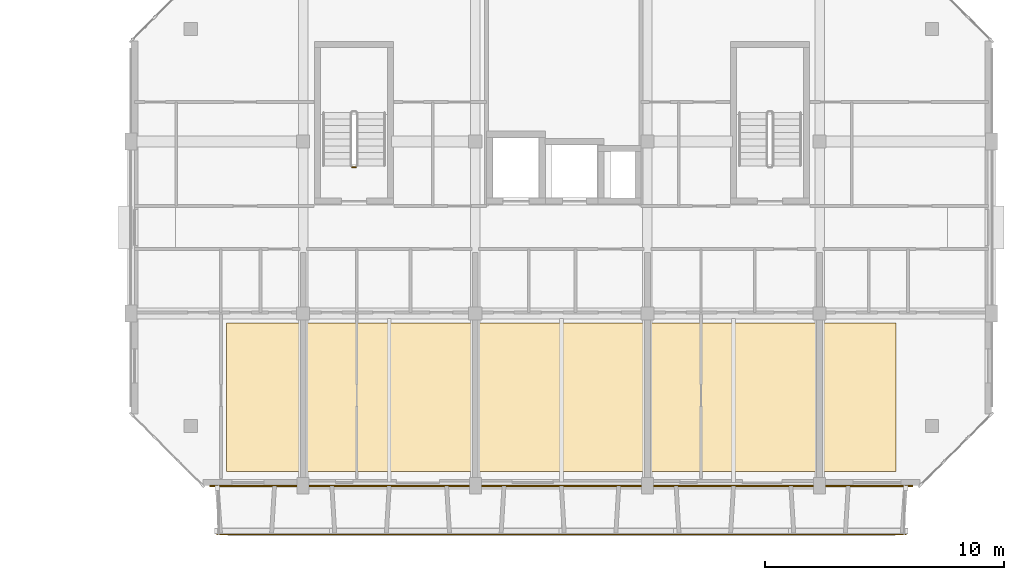
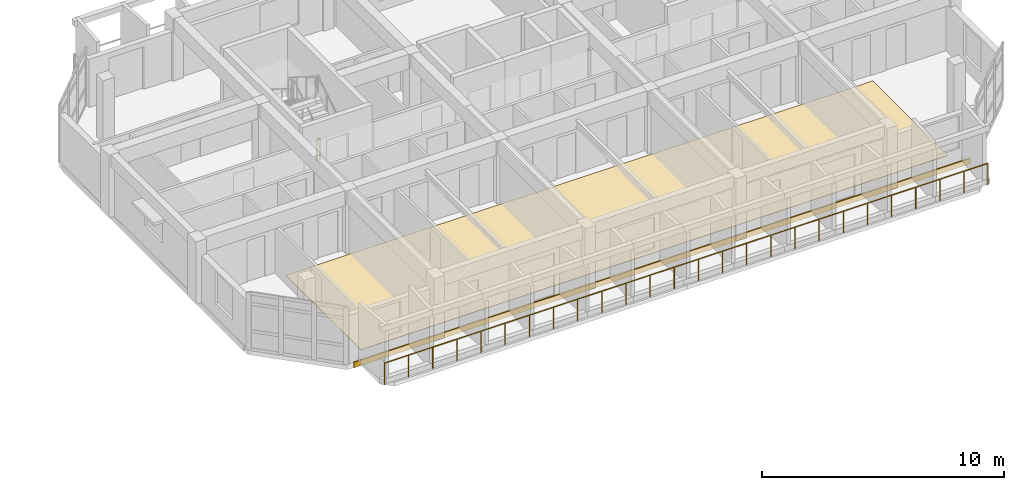
# One storey, part 47 of 51: 2 coverings, 2 railings.
"""IFC4 building model written with IfcOpenShell, lengths in metres."""

from ifc_helpers import new_model, si_unit, direction, frame, origin, origin_2d, place, context, subcontext, project, spatial, polyline, rectangle, circle, outline, extrude, material, layer, layer_set, type_object, element, save


model = new_model("IFC4")

# Units and contexts
model_context = context("Model", 3, precision=1e-05, world=origin(), true_north=direction((0.0, 1.0)))
body_context = subcontext(model_context, "Body", "Model", "MODEL_VIEW")
ifc_project = project(units=[si_unit("LENGTHUNIT", "METRE"), si_unit("AREAUNIT", "SQUARE_METRE"), si_unit("VOLUMEUNIT", "CUBIC_METRE"), si_unit("PLANEANGLEUNIT", "RADIAN"), si_unit("MASSUNIT", "GRAM", prefix="KILO")], contexts=[model_context])

# Site, building, storey
site_placement = place(None, origin())
site = spatial("IfcSite", under=ifc_project, at=site_placement, CompositionType="ELEMENT")
building_placement = place(site_placement, origin())
building = spatial("IfcBuilding", under=site, at=building_placement, Name="Ochrevale Crest", CompositionType="ELEMENT")
storey_placement = place(building_placement, frame((0.0, 0.0, 11.85009765625)))
storey = spatial("IfcBuildingStorey", under=building, at=storey_placement, Name="L03", CompositionType="ELEMENT", Elevation=11.85009765625)

# Coverings
ifc_material_1 = material(Name="Glazed terracotta rainscreen tile", Category="masonry")
ifc_layer_1 = layer(ifc_material_1, 0.048095703125)
ifc_layer_set_1 = layer_set([ifc_layer_1], Name="Glazed terracotta rainscreen tile")
covering_type_1 = type_object("IfcCoveringType", Name="COV-CLAD-TER", PredefinedType="CLADDING", material=ifc_layer_set_1)
covering_1_placement = place(storey_placement, frame((147.60009765625, 14.387451171875, -0.26025390625), z_axis=(0.0, 0.0, 1.0), x_axis=(1.0, 0.0, 0.0)))
element("IfcCovering", 1, at=covering_1_placement, inside=storey, type_object=covering_type_1, Name="Block C L03 terracotta slab-edge spandrel cladding", PredefinedType="CLADDING", context=body_context, shape_type="SweptSolid", body=[
    extrude(rectangle(XDim=29.39990234375, YDim=0.06005859375, at=origin_2d()), origin(), (0.0, 0.0, 1.0), 0.280029296875),
])
ifc_material_2 = material(Name="Engineered spotted-gum hardwood flooring", Category="wood")
ifc_layer_2 = layer(ifc_material_2, 0.02001953125)
ifc_layer_set_2 = layer_set([ifc_layer_2], Name="Engineered spotted-gum hardwood flooring")
covering_type_2 = type_object("IfcCoveringType", Name="COV-FLR-TIM", PredefinedType="FLOORING", material=ifc_layer_set_2)
covering_2_placement = place(storey_placement, origin())
element("IfcCovering", 2, at=covering_2_placement, inside=storey, type_object=covering_type_2, Name="Block C L03 spotted-gum apartment flooring", PredefinedType="FLOORING", context=body_context, shape_type="SweptSolid", body=[
    extrude(outline(polyline([(133.60009765625, 15.0), (161.60009765625, 15.0), (161.60009765625, 21.199951171875), (133.60009765625, 21.199951171875), (133.60009765625, 15.0)])), origin(), (0.0, 0.0, 1.0), 0.02001953125),
])

# Railings
ifc_material_3 = material(Name="Galvanised steel", Category="steel")
railing_type_1 = type_object("IfcRailingType", Name="RL-BAL-1100", PredefinedType="BALUSTRADE", material=ifc_material_3)
railing_1_placement = place(storey_placement, frame((133.199951171875, 12.360107421875, 0.0)))
element("IfcRailing", 3, at=railing_1_placement, inside=storey, type_object=railing_type_1, Name="Block C L03 S balcony front balustrade", PredefinedType="BALUSTRADE", context=body_context, shape_type="SweptSolid", body=[
    extrude(circle(Radius=0.02392578125, at=origin_2d()), frame((0.0, 0.0, 1.0859375), z_axis=(1.0, 0.0, 0.0), x_axis=(0.0, 1.0, 0.0)), (0.0, 0.0, 1.0), 28.800048828125),
    extrude(circle(Radius=0.02099609375, at=origin_2d()), origin(), (0.0, 0.0, 1.0), 1.06201171875),
    extrude(circle(Radius=0.02099609375, at=origin_2d()), frame((1.152099609375, 0.0, 0.0)), (0.0, 0.0, 1.0), 1.06201171875),
    extrude(circle(Radius=0.02099609375, at=origin_2d()), frame((2.303955078125, 0.0, 0.0)), (0.0, 0.0, 1.0), 1.06201171875),
    extrude(circle(Radius=0.02099609375, at=origin_2d()), frame((3.4560546875, 0.0, 0.0)), (0.0, 0.0, 1.0), 1.06201171875),
    extrude(circle(Radius=0.02099609375, at=origin_2d()), frame((4.60791015625, 0.0, 0.0)), (0.0, 0.0, 1.0), 1.06201171875),
    extrude(circle(Radius=0.02099609375, at=origin_2d()), frame((5.760009765625, 0.0, 0.0)), (0.0, 0.0, 1.0), 1.06201171875),
    extrude(circle(Radius=0.02099609375, at=origin_2d()), frame((6.912109375, 0.0, 0.0)), (0.0, 0.0, 1.0), 1.06201171875),
    extrude(circle(Radius=0.02099609375, at=origin_2d()), frame((8.06396484375, 0.0, 0.0)), (0.0, 0.0, 1.0), 1.06201171875),
    extrude(circle(Radius=0.02099609375, at=origin_2d()), frame((9.216064453125, 0.0, 0.0)), (0.0, 0.0, 1.0), 1.06201171875),
    extrude(circle(Radius=0.02099609375, at=origin_2d()), frame((10.367919921875, 0.0, 0.0)), (0.0, 0.0, 1.0), 1.06201171875),
    extrude(circle(Radius=0.02099609375, at=origin_2d()), frame((11.52001953125, 0.0, 0.0)), (0.0, 0.0, 1.0), 1.06201171875),
    extrude(circle(Radius=0.02099609375, at=origin_2d()), frame((12.672119140625, 0.0, 0.0)), (0.0, 0.0, 1.0), 1.06201171875),
    extrude(circle(Radius=0.02099609375, at=origin_2d()), frame((13.823974609375, 0.0, 0.0)), (0.0, 0.0, 1.0), 1.06201171875),
    extrude(circle(Radius=0.02099609375, at=origin_2d()), frame((14.97607421875, 0.0, 0.0)), (0.0, 0.0, 1.0), 1.06201171875),
    extrude(circle(Radius=0.02099609375, at=origin_2d()), frame((16.1279296875, 0.0, 0.0)), (0.0, 0.0, 1.0), 1.06201171875),
    extrude(circle(Radius=0.02099609375, at=origin_2d()), frame((17.280029296875, 0.0, 0.0)), (0.0, 0.0, 1.0), 1.06201171875),
    extrude(circle(Radius=0.02099609375, at=origin_2d()), frame((18.43212890625, 0.0, 0.0)), (0.0, 0.0, 1.0), 1.06201171875),
    extrude(circle(Radius=0.02099609375, at=origin_2d()), frame((19.583984375, 0.0, 0.0)), (0.0, 0.0, 1.0), 1.06201171875),
    extrude(circle(Radius=0.02099609375, at=origin_2d()), frame((20.736083984375, 0.0, 0.0)), (0.0, 0.0, 1.0), 1.06201171875),
    extrude(circle(Radius=0.02099609375, at=origin_2d()), frame((21.887939453125, 0.0, 0.0)), (0.0, 0.0, 1.0), 1.06201171875),
    extrude(circle(Radius=0.02099609375, at=origin_2d()), frame((23.0400390625, 0.0, 0.0)), (0.0, 0.0, 1.0), 1.06201171875),
    extrude(circle(Radius=0.02099609375, at=origin_2d()), frame((24.192138671875, 0.0, 0.0)), (0.0, 0.0, 1.0), 1.06201171875),
    extrude(circle(Radius=0.02099609375, at=origin_2d()), frame((25.343994140625, 0.0, 0.0)), (0.0, 0.0, 1.0), 1.06201171875),
    extrude(circle(Radius=0.02099609375, at=origin_2d()), frame((26.49609375, 0.0, 0.0)), (0.0, 0.0, 1.0), 1.06201171875),
    extrude(circle(Radius=0.02099609375, at=origin_2d()), frame((27.64794921875, 0.0, 0.0)), (0.0, 0.0, 1.0), 1.06201171875),
    extrude(circle(Radius=0.02099609375, at=origin_2d()), frame((28.800048828125, 0.0, 0.0)), (0.0, 0.0, 1.0), 1.06201171875),
])
railing_type_2 = type_object("IfcRailingType", Name="RL-ST-GUARD", PredefinedType="BALUSTRADE", material=ifc_material_3)
railing_2_placement = place(storey_placement, frame((139.0, 27.72509765625, 0.0)))
element("IfcRailing", 4, at=railing_2_placement, inside=storey, type_object=railing_type_2, Name="L03 ST-C1 stair guard 4", PredefinedType="BALUSTRADE", context=body_context, shape_type="SweptSolid", body=[
    extrude(circle(Radius=0.02392578125, at=origin_2d()), frame((0.0, 0.0, 1.076171875), z_axis=(-1.0, 0.0, 0.0), x_axis=(0.0, -1.0, 0.0)), (0.0, 0.0, 1.0), 0.14990234375),
    extrude(circle(Radius=0.02099609375, at=origin_2d()), origin(), (0.0, 0.0, 1.0), 1.052001953125),
    extrude(circle(Radius=0.02099609375, at=origin_2d()), frame((-0.14990234375, 0.0, 0.0)), (0.0, 0.0, 1.0), 1.052001953125),
])

save(model, "model.ifc")
